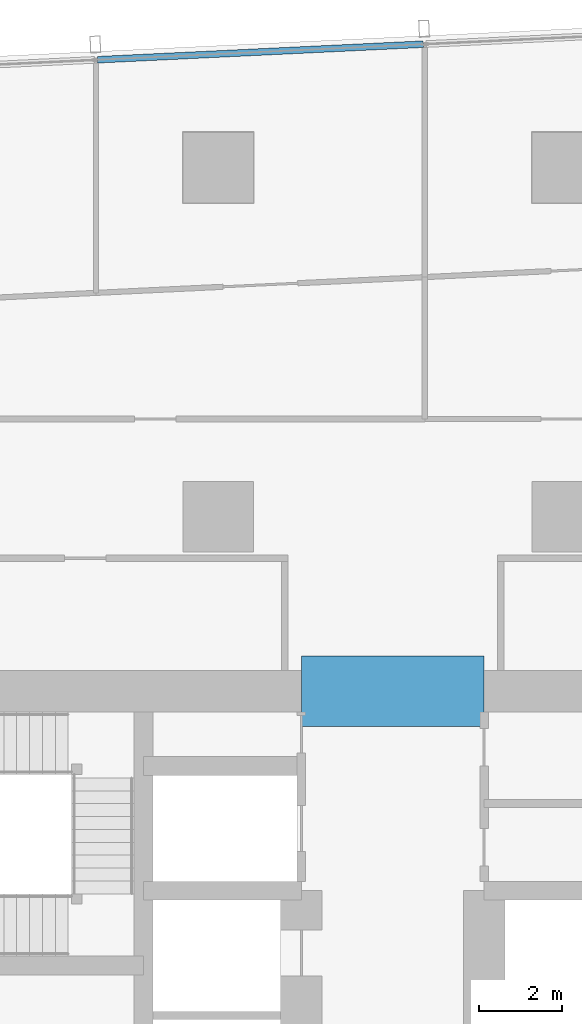
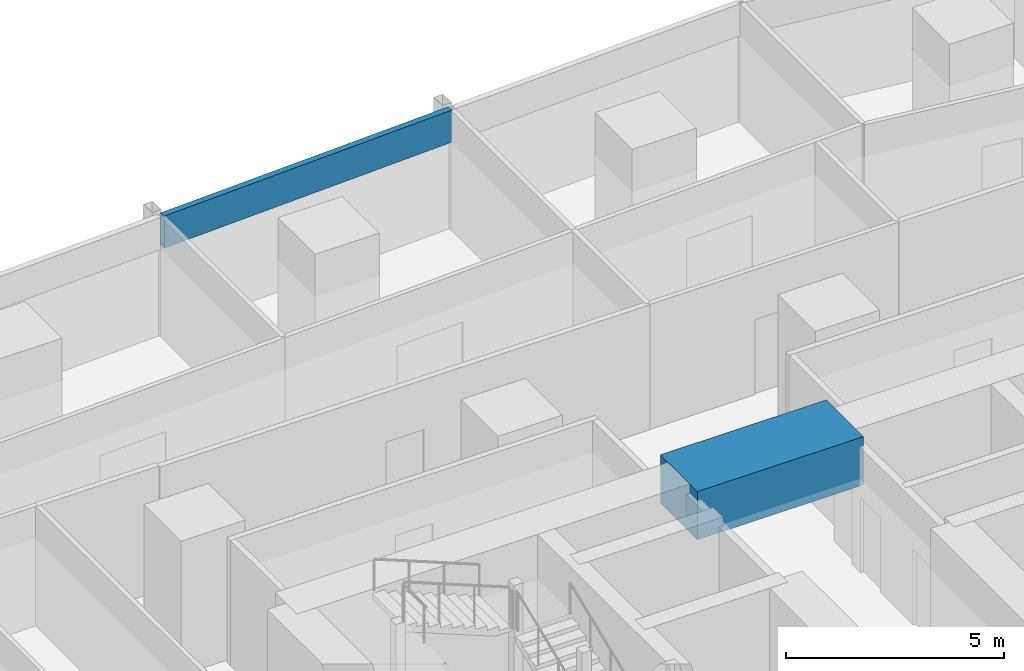
# One storey, part 18 of 34: 1 beam, 1 member, 1 element without a shape of its own.
"""IFC4 building model written with IfcOpenShell, lengths in metres."""

from ifc_helpers import new_model, si_unit, direction, frame, origin, origin_2d, place, context, subcontext, project, spatial, rectangle, hollow_rectangle, extrude, material, material_profile, profile_set, type_object, element, aggregate, save


model = new_model("IFC4")

# Units and contexts
model_context = context("Model", 3, precision=1e-05, world=origin(), true_north=direction((0.0, 1.0)))
body_context = subcontext(model_context, "Body", "Model", "MODEL_VIEW")
ifc_project = project(units=[si_unit("LENGTHUNIT", "METRE"), si_unit("AREAUNIT", "SQUARE_METRE"), si_unit("VOLUMEUNIT", "CUBIC_METRE"), si_unit("PLANEANGLEUNIT", "RADIAN"), si_unit("MASSUNIT", "GRAM", prefix="KILO")], contexts=[model_context])

# Site, building, storey
site_placement = place(None, origin())
site = spatial("IfcSite", under=ifc_project, at=site_placement, CompositionType="ELEMENT")
building_placement = place(site_placement, origin())
building = spatial("IfcBuilding", under=site, at=building_placement, Name="Rekha Terrace Tower", CompositionType="ELEMENT")
storey_placement = place(building_placement, frame((0.0, 0.0, 176.449951171875)))
storey = spatial("IfcBuildingStorey", under=building, at=storey_placement, Name="L44", CompositionType="ELEMENT", Elevation=176.449951171875)

# Curtain wall, member
ifc_material_1 = material(Name="Aluminium framing", Category="aluminium")
curtain_wall_type = type_object("IfcCurtainWallType", Name="CW3 north unitised glazing", PredefinedType="USERDEFINED", material=ifc_material_1)
curtain_wall_placement = place(storey_placement, origin())
curtain_wall = element("IfcCurtainWall", 1, at=curtain_wall_placement, inside=storey, type_object=curtain_wall_type, Name="CW3 unitised curtain wall", ObjectType="UNITISED CURTAIN WALL", PredefinedType="USERDEFINED")
ifc_material_2 = material(Name="Insulated aluminium spandrel box", Category="aluminium")
ifc_material_profile_1 = material_profile(ifc_material_2, hollow_rectangle(XDim=0.159912109375, YDim=0.89990234375, WallThickness=0.0029296875, at=origin_2d()), Name="AL SPANDREL BOX 160x900")
ifc_profile_set_1 = profile_set([ifc_material_profile_1], Name="Insulated aluminium spandrel box")
member_type = type_object("IfcMemberType", Name="CW3 spandrel transom 160 x 900", PredefinedType="USERDEFINED", material=ifc_profile_set_1)
member_placement = place(storey_placement, frame((38.53515625, 61.76953125, 3.050048828125), z_axis=(-0.998859252362, -0.047751376635, 0.0), x_axis=(0.047751376635, -0.998859252362, 0.0)))
member = element("IfcMember", 2, at=member_placement, type_object=member_type, Name="CW3 spandrel transom 2", ObjectType="TRANSOM", PredefinedType="USERDEFINED", context=body_context, shape_type="SweptSolid", body=[
    extrude(hollow_rectangle(XDim=0.159912109375, YDim=0.89990234375, WallThickness=0.0029296875, at=origin_2d()), origin(), (0.0, 0.0, 1.0), 7.84814453125),
])
aggregate(curtain_wall, [member])

# Beam
ifc_material_3 = material(Name="Concrete M60", Category="concrete")
ifc_material_profile_2 = material_profile(ifc_material_3, rectangle(XDim=1.699951171875, YDim=1.35009765625, at=origin_2d()), Name="RC 1700x1350")
ifc_profile_set_2 = profile_set([ifc_material_profile_2], Name="Concrete M60")
beam_type = type_object("IfcBeamType", Name="LB3A 1700x1350 diagonally reinforced coupling beam", PredefinedType="LINTEL", material=ifc_profile_set_2)
beam_placement = place(storey_placement, frame((35.60009765625, 46.199951171875, 3.074951171875), z_axis=(1.0, 0.0, 0.0), x_axis=(0.0, 1.0, 0.0)))
element("IfcBeam", 3, at=beam_placement, inside=storey, type_object=beam_type, Name="Coupling beam LB3A N L44", PredefinedType="LINTEL", context=body_context, shape_type="SweptSolid", body=[
    extrude(rectangle(XDim=1.699951171875, YDim=1.35009765625, at=origin_2d()), origin(), (0.0, 0.0, 1.0), 4.39990234375),
])

save(model, "model.ifc")
